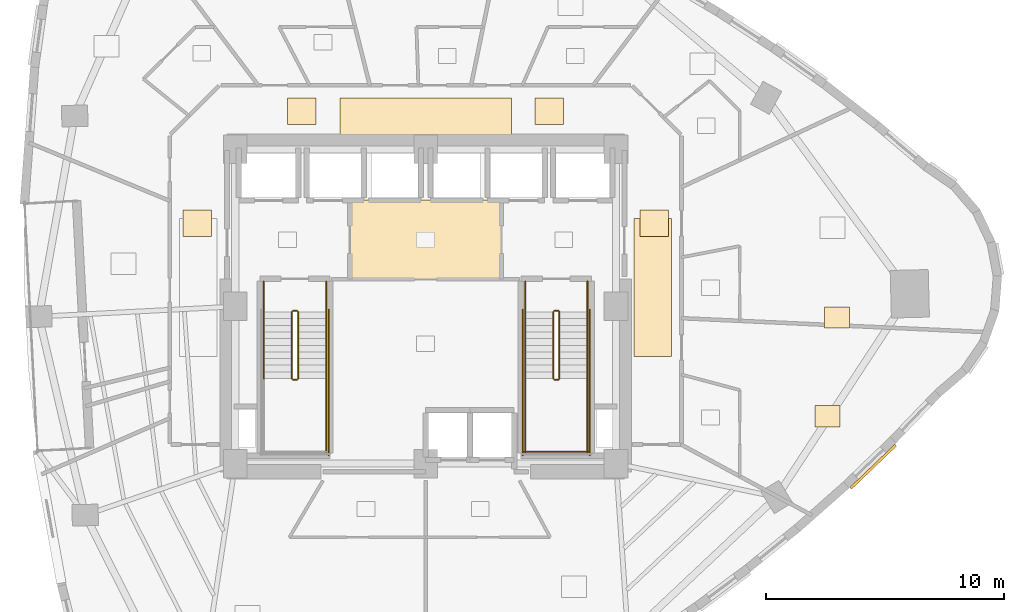
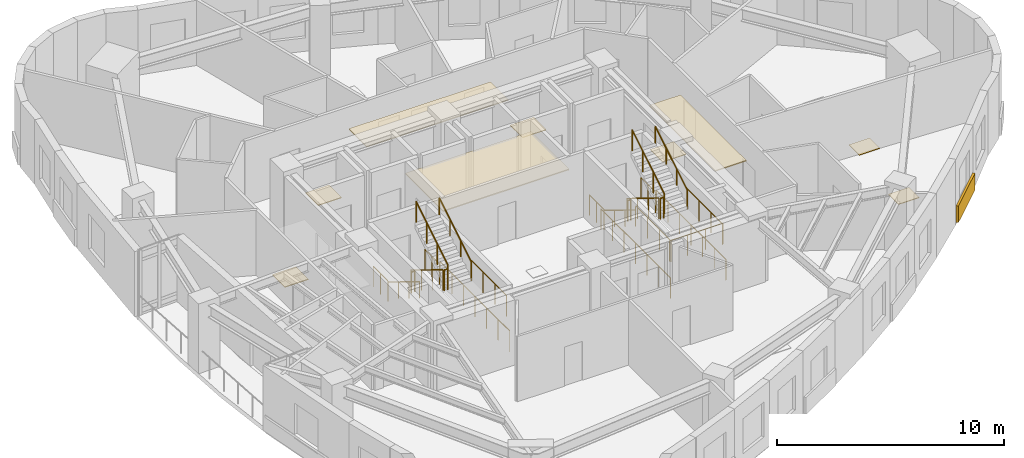
# One storey, part 11 of 12: 23 railings, 10 coverings.
"""IFC4 building model written with IfcOpenShell, lengths in metres."""

from ifc_helpers import new_model, si_unit, direction, frame, origin, origin_2d, place, context, subcontext, project, spatial, rectangle, circle, extrude, material, layer, layer_set, type_object, element, save


model = new_model("IFC4")

# Units and contexts
model_context = context("Model", 3, precision=1e-05, world=origin(), true_north=direction((0.0, 1.0)))
body_context = subcontext(model_context, "Body", "Model", "MODEL_VIEW")
ifc_project = project(units=[si_unit("LENGTHUNIT", "METRE"), si_unit("AREAUNIT", "SQUARE_METRE"), si_unit("VOLUMEUNIT", "CUBIC_METRE"), si_unit("PLANEANGLEUNIT", "RADIAN"), si_unit("MASSUNIT", "GRAM", prefix="KILO")], contexts=[model_context])

# Site, building, storey
site_placement = place(None, origin())
site = spatial("IfcSite", under=ifc_project, at=site_placement, CompositionType="ELEMENT")
building_placement = place(site_placement, origin())
building = spatial("IfcBuilding", under=site, at=building_placement, Name="Ndelora Gate Hotel", CompositionType="ELEMENT")
storey_placement = place(building_placement, frame((0.0, 0.0, 138.5)))
storey = spatial("IfcBuildingStorey", under=building, at=storey_placement, Name="L34", CompositionType="ELEMENT", Elevation=138.5)

# Coverings
ifc_material_1 = material(Name="Perforated Acoustic Gypsum Board", Category="gypsum")
ifc_layer_1 = layer(ifc_material_1, 0.054931640625)
ifc_layer_set_1 = layer_set([ifc_layer_1], Name="Perforated Acoustic Gypsum Board")
covering_type_1 = type_object("IfcCoveringType", Name="COV-CEIL-AC60", PredefinedType="CEILING", material=ifc_layer_set_1)
covering_1_placement = place(storey_placement, frame((0.0, 2.800048828125, 2.72265625), z_axis=(0.0, 0.0, 1.0), x_axis=(1.0, 0.0, 0.0)))
element("IfcCovering", 1, at=covering_1_placement, inside=storey, type_object=covering_type_1, Name="L34 Lift Lobby Acoustic Ceiling", PredefinedType="CEILING", context=body_context, shape_type="SweptSolid", body=[
    extrude(rectangle(XDim=6.39990234375, YDim=3.340087890625, at=origin_2d()), origin(), (0.0, 0.0, 1.0), 0.054931640625),
])
covering_2_placement = place(storey_placement, frame((0.0, 7.9599609375, 2.65234375), z_axis=(0.0, 0.0, 1.0), x_axis=(1.0, 0.0, 0.0)))
element("IfcCovering", 2, at=covering_2_placement, inside=storey, type_object=covering_type_1, Name="L34 Guest Corridor Acoustic Ceiling N", PredefinedType="CEILING", context=body_context, shape_type="SweptSolid", body=[
    extrude(rectangle(XDim=7.199951171875, YDim=1.580078125, at=origin_2d()), origin(), (0.0, 0.0, 1.0), 0.054931640625),
])
covering_3_placement = place(storey_placement, frame((9.550048828125, 0.800048828125, 2.65234375), z_axis=(0.0, 0.0, 1.0), x_axis=(1.0, 0.0, 0.0)))
element("IfcCovering", 3, at=covering_3_placement, inside=storey, type_object=covering_type_1, Name="L34 Guest Corridor Acoustic Ceiling E", PredefinedType="CEILING", context=body_context, shape_type="SweptSolid", body=[
    extrude(rectangle(XDim=1.580078125, YDim=5.800048828125, at=origin_2d()), origin(), (0.0, 0.0, 1.0), 0.054931640625),
])
ifc_material_2 = material(Name="Terracotta Fired Clay Brick Slip Cladding", Category="masonry")
ifc_layer_2 = layer(ifc_material_2, 0.110107421875)
ifc_layer_set_2 = layer_set([ifc_layer_2], Name="Terracotta Fired Clay Brick Slip Cladding")
covering_type_2 = type_object("IfcCoveringType", Name="COV-CLAD-BRK", PredefinedType="CLADDING", material=ifc_layer_set_2)
covering_4_placement = place(storey_placement, frame((18.802734375, -6.738525390625, 0.10009765625), z_axis=(0.0, 0.0, 1.0), x_axis=(0.721397723859, 0.692520991747, 0.0)))
element("IfcCovering", 4, at=covering_4_placement, inside=storey, type_object=covering_type_2, Name="L34 Rounded-Corner Brick Cladding Band 37", PredefinedType="CLADDING", context=body_context, shape_type="SweptSolid", body=[
    extrude(rectangle(XDim=2.6279296875, YDim=0.110107421875, at=origin_2d()), origin(), (0.0, 0.0, 1.0), 0.89990234375),
])
ifc_material_3 = material(Name="Engineered Highland Oak Parquet", Category="wood")
ifc_layer_3 = layer(ifc_material_3, 0.030029296875)
ifc_layer_set_3 = layer_set([ifc_layer_3], Name="Engineered Highland Oak Parquet")
covering_type_3 = type_object("IfcCoveringType", Name="COV-FLR-PARQ", PredefinedType="FLOORING", material=ifc_layer_set_3)
for number, where, z_axis, x_axis, name in (
    (5, (16.89501953125, -4.60546875, 0.0), (0.0, 0.0, 1.0), (1.0, 0.0, 0.0), "L34 Corner Junior Suite 3703 Oak Parquet Flooring"),
    (6, (17.279541015625, -0.463623046875, 0.0), (0.0, 0.0, 1.0), (1.0, 0.0, 0.0), "L34 Housekeeping and Linen Room Oak Parquet Flooring"),
):
    element("IfcCovering", number, at=place(storey_placement, frame(where, z_axis=z_axis, x_axis=x_axis)), inside=storey, type_object=covering_type_3, Name=name, PredefinedType="FLOORING", context=body_context, shape_type="SweptSolid", body=[
        extrude(rectangle(XDim=1.050048828125, YDim=0.89990234375, at=origin_2d()), origin(), (0.0, 0.0, 1.0), 0.030029296875),
    ])
ifc_material_4 = material(Name="Polished Highland Stone Terrazzo", Category="masonry")
ifc_layer_4 = layer(ifc_material_4, 0.034912109375)
ifc_layer_set_4 = layer_set([ifc_layer_4], Name="Polished Highland Stone Terrazzo")
covering_type_4 = type_object("IfcCoveringType", Name="COV-FLR-TERZ", PredefinedType="FLOORING", material=ifc_layer_set_4)
for number, where, z_axis, x_axis, name in (
    (7, (-5.199951171875, 8.199951171875, 0.0), (0.0, 0.0, 1.0), (1.0, 0.0, 0.0), "L34 Corridor Threshold Terrazzo Inlay NW"),
    (8, (5.199951171875, 8.199951171875, 0.0), (0.0, 0.0, 1.0), (1.0, 0.0, 0.0), "L34 Corridor Threshold Terrazzo Inlay NE"),
    (9, (-9.60009765625, 3.5, 0.0), (0.0, 0.0, 1.0), (1.0, 0.0, 0.0), "L34 Corridor Threshold Terrazzo Inlay W"),
    (10, (9.60009765625, 3.5, 0.0), (0.0, 0.0, 1.0), (1.0, 0.0, 0.0), "L34 Corridor Threshold Terrazzo Inlay E"),
):
    element("IfcCovering", number, at=place(storey_placement, frame(where, z_axis=z_axis, x_axis=x_axis)), inside=storey, type_object=covering_type_4, Name=name, PredefinedType="FLOORING", context=body_context, shape_type="SweptSolid", body=[
        extrude(rectangle(XDim=1.199951171875, YDim=1.10009765625, at=origin_2d()), origin(), (0.0, 0.0, 1.0), 0.034912109375),
    ])

# Railings
ifc_material_5 = material(Name="Painted Galvanized Steel Balustrade", Category="steel")
ifc_layer_5 = layer(ifc_material_5, 0.06005859375)
ifc_layer_set_5 = layer_set([ifc_layer_5], Name="Painted Galvanized Steel Balustrade")
railing_type_1 = type_object("IfcRailingType", Name="RL-STAIR-GD", PredefinedType="GUARDRAIL", material=ifc_layer_set_5)
railing_1_placement = place(storey_placement, frame((-5.6201171875, -0.22998046875, 0.17041015625)))
element("IfcRailing", 11, at=railing_1_placement, inside=storey, type_object=railing_type_1, Name="L34 ST4 stair guard 1", PredefinedType="GUARDRAIL", context=body_context, shape_type="SweptSolid", body=[
    extrude(circle(Radius=0.02392578125, at=origin_2d()), frame((0.0, 0.0, 1.10595703125), z_axis=(0.0, -0.854169791009, 0.51999420009), x_axis=(1.0, 0.0, 0.0)), (0.0, 0.0, 1.0), 3.278076171875),
    extrude(circle(Radius=0.02099609375, at=origin_2d()), origin(), (0.0, 0.0, 1.0), 1.081787109375),
    extrude(circle(Radius=0.02099609375, at=origin_2d()), frame((0.0, -0.933349609375, 0.568115234375)), (0.0, 0.0, 1.0), 1.081787109375),
    extrude(circle(Radius=0.02099609375, at=origin_2d()), frame((0.0, -1.86669921875, 1.136474609375)), (0.0, 0.0, 1.0), 1.081787109375),
    extrude(circle(Radius=0.02099609375, at=origin_2d()), frame((0.0, -2.800048828125, 1.70458984375)), (0.0, 0.0, 1.0), 1.081787109375),
])
railing_2_placement = place(storey_placement, frame((-5.570068359375, -3.080078125, 1.875)))
element("IfcRailing", 12, at=railing_2_placement, inside=storey, type_object=railing_type_1, Name="L34 ST4 stair guard 2", PredefinedType="GUARDRAIL", context=body_context, shape_type="SweptSolid", body=[
    extrude(circle(Radius=0.02392578125, at=origin_2d()), frame((0.0, 0.0, 1.10595703125), z_axis=(1.0, 0.0, 0.0), x_axis=(0.0, 1.0, 0.0)), (0.0, 0.0, 1.0), 0.16015625),
    extrude(circle(Radius=0.02099609375, at=origin_2d()), origin(), (0.0, 0.0, 1.0), 1.081787109375),
    extrude(circle(Radius=0.02099609375, at=origin_2d()), frame((0.16015625, 0.0, 0.0)), (0.0, 0.0, 1.0), 1.081787109375),
])
railing_3_placement = place(storey_placement, frame((-4.179931640625, -3.030029296875, 1.875)))
element("IfcRailing", 13, at=railing_3_placement, inside=storey, type_object=railing_type_1, Name="L34 ST4 stair guard 4", PredefinedType="GUARDRAIL", context=body_context, shape_type="SweptSolid", body=[
    extrude(circle(Radius=0.02392578125, at=origin_2d()), frame((0.0, 0.0, 1.10595703125), z_axis=(0.0, -1.0, 0.0), x_axis=(1.0, 0.0, 0.0)), (0.0, 0.0, 1.0), 3.119873046875),
    extrude(circle(Radius=0.02099609375, at=origin_2d()), origin(), (0.0, 0.0, 1.0), 1.081787109375),
    extrude(circle(Radius=0.02099609375, at=origin_2d()), frame((0.0, -1.0400390625, 0.0)), (0.0, 0.0, 1.0), 1.081787109375),
    extrude(circle(Radius=0.02099609375, at=origin_2d()), frame((0.0, -2.079833984375, 0.0)), (0.0, 0.0, 1.0), 1.081787109375),
    extrude(circle(Radius=0.02099609375, at=origin_2d()), frame((0.0, -3.119873046875, 0.0)), (0.0, 0.0, 1.0), 1.081787109375),
])
railing_4_placement = place(storey_placement, frame((-5.360107421875, -3.030029296875, 2.04541015625)))
element("IfcRailing", 14, at=railing_4_placement, inside=storey, type_object=railing_type_1, Name="L34 ST4 stair guard 6", PredefinedType="GUARDRAIL", context=body_context, shape_type="SweptSolid", body=[
    extrude(circle(Radius=0.02392578125, at=origin_2d()), frame((0.0, 0.0, 1.10595703125), z_axis=(0.0, 0.854169791009, 0.51999420009), x_axis=(-1.0, 0.0, 0.0)), (0.0, 0.0, 1.0), 3.278076171875),
    extrude(circle(Radius=0.02099609375, at=origin_2d()), origin(), (0.0, 0.0, 1.0), 1.081787109375),
    extrude(circle(Radius=0.02099609375, at=origin_2d()), frame((0.0, 0.933349609375, 0.568115234375)), (0.0, 0.0, 1.0), 1.081787109375),
    extrude(circle(Radius=0.02099609375, at=origin_2d()), frame((0.0, 1.86669921875, 1.136474609375)), (0.0, 0.0, 1.0), 1.081787109375),
    extrude(circle(Radius=0.02099609375, at=origin_2d()), frame((0.0, 2.800048828125, 1.70458984375)), (0.0, 0.0, 1.0), 1.081787109375),
])
railing_5_placement = place(storey_placement, frame((-5.570068359375, -0.179931640625, 0.0)))
element("IfcRailing", 15, at=railing_5_placement, inside=storey, type_object=railing_type_1, Name="L34 ST4 stair guard 7", PredefinedType="GUARDRAIL", context=body_context, shape_type="SweptSolid", body=[
    extrude(circle(Radius=0.02392578125, at=origin_2d()), frame((0.0, 0.0, 1.10595703125), z_axis=(1.0, 0.0, 0.0), x_axis=(0.0, 1.0, 0.0)), (0.0, 0.0, 1.0), 0.16015625),
    extrude(circle(Radius=0.02099609375, at=origin_2d()), origin(), (0.0, 0.0, 1.0), 1.081787109375),
    extrude(circle(Radius=0.02099609375, at=origin_2d()), frame((0.16015625, 0.0, 0.0)), (0.0, 0.0, 1.0), 1.081787109375),
])
for number, where, name in (
    (16, (-6.800048828125, 1.050048828125, 0.0), "L34 ST4 stair guard 8"),
    (17, (-4.179931640625, 1.050048828125, 0.0), "L34 ST4 stair guard 9"),
):
    element("IfcRailing", number, at=place(storey_placement, frame(where)), inside=storey, type_object=railing_type_1, Name=name, PredefinedType="GUARDRAIL", context=body_context, shape_type="SweptSolid", body=[
        extrude(circle(Radius=0.02392578125, at=origin_2d()), frame((0.0, 0.0, 1.10595703125), z_axis=(0.0, -1.0, 0.0), x_axis=(1.0, 0.0, 0.0)), (0.0, 0.0, 1.0), 1.280029296875),
        extrude(circle(Radius=0.02099609375, at=origin_2d()), origin(), (0.0, 0.0, 1.0), 1.081787109375),
        extrude(circle(Radius=0.02099609375, at=origin_2d()), frame((0.0, -0.64013671875, 0.0)), (0.0, 0.0, 1.0), 1.081787109375),
        extrude(circle(Radius=0.02099609375, at=origin_2d()), frame((0.0, -1.280029296875, 0.0)), (0.0, 0.0, 1.0), 1.081787109375),
    ])
railing_6_placement = place(storey_placement, frame((-4.080078125, -0.1298828125, 0.0)))
element("IfcRailing", 18, at=railing_6_placement, inside=storey, type_object=railing_type_1, Name="L34 ST4 stair guard 11", PredefinedType="GUARDRAIL", context=body_context, shape_type="SweptSolid", body=[
    extrude(circle(Radius=0.02392578125, at=origin_2d()), frame((0.0, 0.0, 1.10595703125), z_axis=(0.0, -1.0, 0.0), x_axis=(1.0, 0.0, 0.0)), (0.0, 0.0, 1.0), 6.1201171875),
    extrude(circle(Radius=0.02099609375, at=origin_2d()), origin(), (0.0, 0.0, 1.0), 1.081787109375),
    extrude(circle(Radius=0.02099609375, at=origin_2d()), frame((0.0, -1.02001953125, 0.0)), (0.0, 0.0, 1.0), 1.081787109375),
    extrude(circle(Radius=0.02099609375, at=origin_2d()), frame((0.0, -2.0400390625, 0.0)), (0.0, 0.0, 1.0), 1.081787109375),
    extrude(circle(Radius=0.02099609375, at=origin_2d()), frame((0.0, -3.06005859375, 0.0)), (0.0, 0.0, 1.0), 1.081787109375),
    extrude(circle(Radius=0.02099609375, at=origin_2d()), frame((0.0, -4.080078125, 0.0)), (0.0, 0.0, 1.0), 1.081787109375),
    extrude(circle(Radius=0.02099609375, at=origin_2d()), frame((0.0, -5.10009765625, 0.0)), (0.0, 0.0, 1.0), 1.081787109375),
    extrude(circle(Radius=0.02099609375, at=origin_2d()), frame((0.0, -6.1201171875, 0.0)), (0.0, 0.0, 1.0), 1.081787109375),
])
railing_7_placement = place(storey_placement, frame((5.360107421875, -0.22998046875, 0.17041015625)))
element("IfcRailing", 19, at=railing_7_placement, inside=storey, type_object=railing_type_1, Name="L34 ST5 stair guard 1", PredefinedType="GUARDRAIL", context=body_context, shape_type="SweptSolid", body=[
    extrude(circle(Radius=0.02392578125, at=origin_2d()), frame((0.0, 0.0, 1.10595703125), z_axis=(0.0, -0.854169791009, 0.51999420009), x_axis=(1.0, 0.0, 0.0)), (0.0, 0.0, 1.0), 3.278076171875),
    extrude(circle(Radius=0.02099609375, at=origin_2d()), origin(), (0.0, 0.0, 1.0), 1.081787109375),
    extrude(circle(Radius=0.02099609375, at=origin_2d()), frame((0.0, -0.933349609375, 0.568115234375)), (0.0, 0.0, 1.0), 1.081787109375),
    extrude(circle(Radius=0.02099609375, at=origin_2d()), frame((0.0, -1.86669921875, 1.136474609375)), (0.0, 0.0, 1.0), 1.081787109375),
    extrude(circle(Radius=0.02099609375, at=origin_2d()), frame((0.0, -2.800048828125, 1.70458984375)), (0.0, 0.0, 1.0), 1.081787109375),
])
railing_8_placement = place(storey_placement, frame((5.409912109375, -3.080078125, 1.875)))
element("IfcRailing", 20, at=railing_8_placement, inside=storey, type_object=railing_type_1, Name="L34 ST5 stair guard 2", PredefinedType="GUARDRAIL", context=body_context, shape_type="SweptSolid", body=[
    extrude(circle(Radius=0.02392578125, at=origin_2d()), frame((0.0, 0.0, 1.10595703125), z_axis=(1.0, 0.0, 0.0), x_axis=(0.0, 1.0, 0.0)), (0.0, 0.0, 1.0), 0.16015625),
    extrude(circle(Radius=0.02099609375, at=origin_2d()), origin(), (0.0, 0.0, 1.0), 1.081787109375),
    extrude(circle(Radius=0.02099609375, at=origin_2d()), frame((0.16015625, 0.0, 0.0)), (0.0, 0.0, 1.0), 1.081787109375),
])
for number, where, name in (
    (21, (4.179931640625, -3.030029296875, 1.875), "L34 ST5 stair guard 3"),
    (22, (6.800048828125, -3.030029296875, 1.875), "L34 ST5 stair guard 4"),
):
    element("IfcRailing", number, at=place(storey_placement, frame(where)), inside=storey, type_object=railing_type_1, Name=name, PredefinedType="GUARDRAIL", context=body_context, shape_type="SweptSolid", body=[
        extrude(circle(Radius=0.02392578125, at=origin_2d()), frame((0.0, 0.0, 1.10595703125), z_axis=(0.0, -1.0, 0.0), x_axis=(1.0, 0.0, 0.0)), (0.0, 0.0, 1.0), 3.119873046875),
        extrude(circle(Radius=0.02099609375, at=origin_2d()), origin(), (0.0, 0.0, 1.0), 1.081787109375),
        extrude(circle(Radius=0.02099609375, at=origin_2d()), frame((0.0, -1.0400390625, 0.0)), (0.0, 0.0, 1.0), 1.081787109375),
        extrude(circle(Radius=0.02099609375, at=origin_2d()), frame((0.0, -2.079833984375, 0.0)), (0.0, 0.0, 1.0), 1.081787109375),
        extrude(circle(Radius=0.02099609375, at=origin_2d()), frame((0.0, -3.119873046875, 0.0)), (0.0, 0.0, 1.0), 1.081787109375),
    ])
railing_9_placement = place(storey_placement, frame((4.1298828125, -6.10009765625, 1.875)))
element("IfcRailing", 23, at=railing_9_placement, inside=storey, type_object=railing_type_1, Name="L34 ST5 stair guard 5", PredefinedType="GUARDRAIL", context=body_context, shape_type="SweptSolid", body=[
    extrude(circle(Radius=0.02392578125, at=origin_2d()), frame((0.0, 0.0, 1.10595703125), z_axis=(1.0, 0.0, 0.0), x_axis=(0.0, 1.0, 0.0)), (0.0, 0.0, 1.0), 2.72021484375),
    extrude(circle(Radius=0.02099609375, at=origin_2d()), origin(), (0.0, 0.0, 1.0), 1.081787109375),
    extrude(circle(Radius=0.02099609375, at=origin_2d()), frame((0.90673828125, 0.0, 0.0)), (0.0, 0.0, 1.0), 1.081787109375),
    extrude(circle(Radius=0.02099609375, at=origin_2d()), frame((1.8134765625, 0.0, 0.0)), (0.0, 0.0, 1.0), 1.081787109375),
    extrude(circle(Radius=0.02099609375, at=origin_2d()), frame((2.72021484375, 0.0, 0.0)), (0.0, 0.0, 1.0), 1.081787109375),
])
railing_10_placement = place(storey_placement, frame((5.6201171875, -3.030029296875, 2.04541015625)))
element("IfcRailing", 24, at=railing_10_placement, inside=storey, type_object=railing_type_1, Name="L34 ST5 stair guard 6", PredefinedType="GUARDRAIL", context=body_context, shape_type="SweptSolid", body=[
    extrude(circle(Radius=0.02392578125, at=origin_2d()), frame((0.0, 0.0, 1.10595703125), z_axis=(0.0, 0.854169791009, 0.51999420009), x_axis=(-1.0, 0.0, 0.0)), (0.0, 0.0, 1.0), 3.278076171875),
    extrude(circle(Radius=0.02099609375, at=origin_2d()), origin(), (0.0, 0.0, 1.0), 1.081787109375),
    extrude(circle(Radius=0.02099609375, at=origin_2d()), frame((0.0, 0.933349609375, 0.568115234375)), (0.0, 0.0, 1.0), 1.081787109375),
    extrude(circle(Radius=0.02099609375, at=origin_2d()), frame((0.0, 1.86669921875, 1.136474609375)), (0.0, 0.0, 1.0), 1.081787109375),
    extrude(circle(Radius=0.02099609375, at=origin_2d()), frame((0.0, 2.800048828125, 1.70458984375)), (0.0, 0.0, 1.0), 1.081787109375),
])
railing_11_placement = place(storey_placement, frame((5.409912109375, -0.179931640625, 0.0)))
element("IfcRailing", 25, at=railing_11_placement, inside=storey, type_object=railing_type_1, Name="L34 ST5 stair guard 7", PredefinedType="GUARDRAIL", context=body_context, shape_type="SweptSolid", body=[
    extrude(circle(Radius=0.02392578125, at=origin_2d()), frame((0.0, 0.0, 1.10595703125), z_axis=(1.0, 0.0, 0.0), x_axis=(0.0, 1.0, 0.0)), (0.0, 0.0, 1.0), 0.16015625),
    extrude(circle(Radius=0.02099609375, at=origin_2d()), origin(), (0.0, 0.0, 1.0), 1.081787109375),
    extrude(circle(Radius=0.02099609375, at=origin_2d()), frame((0.16015625, 0.0, 0.0)), (0.0, 0.0, 1.0), 1.081787109375),
])
for number, where, name in (
    (26, (4.179931640625, 1.050048828125, 0.0), "L34 ST5 stair guard 8"),
    (27, (6.800048828125, 1.050048828125, 0.0), "L34 ST5 stair guard 9"),
):
    element("IfcRailing", number, at=place(storey_placement, frame(where)), inside=storey, type_object=railing_type_1, Name=name, PredefinedType="GUARDRAIL", context=body_context, shape_type="SweptSolid", body=[
        extrude(circle(Radius=0.02392578125, at=origin_2d()), frame((0.0, 0.0, 1.10595703125), z_axis=(0.0, -1.0, 0.0), x_axis=(1.0, 0.0, 0.0)), (0.0, 0.0, 1.0), 1.280029296875),
        extrude(circle(Radius=0.02099609375, at=origin_2d()), origin(), (0.0, 0.0, 1.0), 1.081787109375),
        extrude(circle(Radius=0.02099609375, at=origin_2d()), frame((0.0, -0.64013671875, 0.0)), (0.0, 0.0, 1.0), 1.081787109375),
        extrude(circle(Radius=0.02099609375, at=origin_2d()), frame((0.0, -1.280029296875, 0.0)), (0.0, 0.0, 1.0), 1.081787109375),
    ])
for number, where, name in (
    (28, (4.080078125, -0.1298828125, 0.0), "L34 ST5 stair guard 10"),
    (29, (6.89990234375, -0.1298828125, 0.0), "L34 ST5 stair guard 11"),
):
    element("IfcRailing", number, at=place(storey_placement, frame(where)), inside=storey, type_object=railing_type_1, Name=name, PredefinedType="GUARDRAIL", context=body_context, shape_type="SweptSolid", body=[
        extrude(circle(Radius=0.02392578125, at=origin_2d()), frame((0.0, 0.0, 1.10595703125), z_axis=(0.0, -1.0, 0.0), x_axis=(1.0, 0.0, 0.0)), (0.0, 0.0, 1.0), 6.1201171875),
        extrude(circle(Radius=0.02099609375, at=origin_2d()), origin(), (0.0, 0.0, 1.0), 1.081787109375),
        extrude(circle(Radius=0.02099609375, at=origin_2d()), frame((0.0, -1.02001953125, 0.0)), (0.0, 0.0, 1.0), 1.081787109375),
        extrude(circle(Radius=0.02099609375, at=origin_2d()), frame((0.0, -2.0400390625, 0.0)), (0.0, 0.0, 1.0), 1.081787109375),
        extrude(circle(Radius=0.02099609375, at=origin_2d()), frame((0.0, -3.06005859375, 0.0)), (0.0, 0.0, 1.0), 1.081787109375),
        extrude(circle(Radius=0.02099609375, at=origin_2d()), frame((0.0, -4.080078125, 0.0)), (0.0, 0.0, 1.0), 1.081787109375),
        extrude(circle(Radius=0.02099609375, at=origin_2d()), frame((0.0, -5.10009765625, 0.0)), (0.0, 0.0, 1.0), 1.081787109375),
        extrude(circle(Radius=0.02099609375, at=origin_2d()), frame((0.0, -6.1201171875, 0.0)), (0.0, 0.0, 1.0), 1.081787109375),
    ])
ifc_material_6 = material(Name="Brushed Stainless Steel 316", Category="steel")
ifc_layer_6 = layer(ifc_material_6, 0.050048828125)
ifc_layer_set_6 = layer_set([ifc_layer_6], Name="Brushed Stainless Steel 316")
railing_type_2 = type_object("IfcRailingType", Name="RL-STAIR-HR", PredefinedType="HANDRAIL", material=ifc_layer_set_6)
railing_12_placement = place(storey_placement, frame((-6.800048828125, -0.22998046875, 0.17041015625)))
element("IfcRailing", 30, at=railing_12_placement, inside=storey, type_object=railing_type_2, Name="L34 ST4 stair handrail 1", PredefinedType="HANDRAIL", context=body_context, shape_type="SweptSolid", body=[
    extrude(circle(Radius=0.02392578125, at=origin_2d()), frame((0.0, 0.0, 0.8759765625), z_axis=(0.0, -0.854169791009, 0.51999420009), x_axis=(1.0, 0.0, 0.0)), (0.0, 0.0, 1.0), 3.278076171875),
    extrude(circle(Radius=0.02099609375, at=origin_2d()), origin(), (0.0, 0.0, 1.0), 0.851806640625),
    extrude(circle(Radius=0.02099609375, at=origin_2d()), frame((0.0, -0.933349609375, 0.568115234375)), (0.0, 0.0, 1.0), 0.851806640625),
    extrude(circle(Radius=0.02099609375, at=origin_2d()), frame((0.0, -1.86669921875, 1.136474609375)), (0.0, 0.0, 1.0), 0.851806640625),
    extrude(circle(Radius=0.02099609375, at=origin_2d()), frame((0.0, -2.800048828125, 1.70458984375)), (0.0, 0.0, 1.0), 0.851806640625),
])
railing_13_placement = place(storey_placement, frame((-4.179931640625, -3.030029296875, 2.04541015625)))
element("IfcRailing", 31, at=railing_13_placement, inside=storey, type_object=railing_type_2, Name="L34 ST4 stair handrail 2", PredefinedType="HANDRAIL", context=body_context, shape_type="SweptSolid", body=[
    extrude(circle(Radius=0.02392578125, at=origin_2d()), frame((0.0, 0.0, 0.8759765625), z_axis=(0.0, 0.854169791009, 0.51999420009), x_axis=(-1.0, 0.0, 0.0)), (0.0, 0.0, 1.0), 3.278076171875),
    extrude(circle(Radius=0.02099609375, at=origin_2d()), origin(), (0.0, 0.0, 1.0), 0.851806640625),
    extrude(circle(Radius=0.02099609375, at=origin_2d()), frame((0.0, 0.933349609375, 0.568115234375)), (0.0, 0.0, 1.0), 0.851806640625),
    extrude(circle(Radius=0.02099609375, at=origin_2d()), frame((0.0, 1.86669921875, 1.136474609375)), (0.0, 0.0, 1.0), 0.851806640625),
    extrude(circle(Radius=0.02099609375, at=origin_2d()), frame((0.0, 2.800048828125, 1.70458984375)), (0.0, 0.0, 1.0), 0.851806640625),
])
railing_14_placement = place(storey_placement, frame((4.179931640625, -0.22998046875, 0.17041015625)))
element("IfcRailing", 32, at=railing_14_placement, inside=storey, type_object=railing_type_2, Name="L34 ST5 stair handrail 1", PredefinedType="HANDRAIL", context=body_context, shape_type="SweptSolid", body=[
    extrude(circle(Radius=0.02392578125, at=origin_2d()), frame((0.0, 0.0, 0.8759765625), z_axis=(0.0, -0.854169791009, 0.51999420009), x_axis=(1.0, 0.0, 0.0)), (0.0, 0.0, 1.0), 3.278076171875),
    extrude(circle(Radius=0.02099609375, at=origin_2d()), origin(), (0.0, 0.0, 1.0), 0.851806640625),
    extrude(circle(Radius=0.02099609375, at=origin_2d()), frame((0.0, -0.933349609375, 0.568115234375)), (0.0, 0.0, 1.0), 0.851806640625),
    extrude(circle(Radius=0.02099609375, at=origin_2d()), frame((0.0, -1.86669921875, 1.136474609375)), (0.0, 0.0, 1.0), 0.851806640625),
    extrude(circle(Radius=0.02099609375, at=origin_2d()), frame((0.0, -2.800048828125, 1.70458984375)), (0.0, 0.0, 1.0), 0.851806640625),
])
railing_15_placement = place(storey_placement, frame((6.800048828125, -3.030029296875, 2.04541015625)))
element("IfcRailing", 33, at=railing_15_placement, inside=storey, type_object=railing_type_2, Name="L34 ST5 stair handrail 2", PredefinedType="HANDRAIL", context=body_context, shape_type="SweptSolid", body=[
    extrude(circle(Radius=0.02392578125, at=origin_2d()), frame((0.0, 0.0, 0.8759765625), z_axis=(0.0, 0.854169791009, 0.51999420009), x_axis=(-1.0, 0.0, 0.0)), (0.0, 0.0, 1.0), 3.278076171875),
    extrude(circle(Radius=0.02099609375, at=origin_2d()), origin(), (0.0, 0.0, 1.0), 0.851806640625),
    extrude(circle(Radius=0.02099609375, at=origin_2d()), frame((0.0, 0.933349609375, 0.568115234375)), (0.0, 0.0, 1.0), 0.851806640625),
    extrude(circle(Radius=0.02099609375, at=origin_2d()), frame((0.0, 1.86669921875, 1.136474609375)), (0.0, 0.0, 1.0), 0.851806640625),
    extrude(circle(Radius=0.02099609375, at=origin_2d()), frame((0.0, 2.800048828125, 1.70458984375)), (0.0, 0.0, 1.0), 0.851806640625),
])

save(model, "model.ifc")
